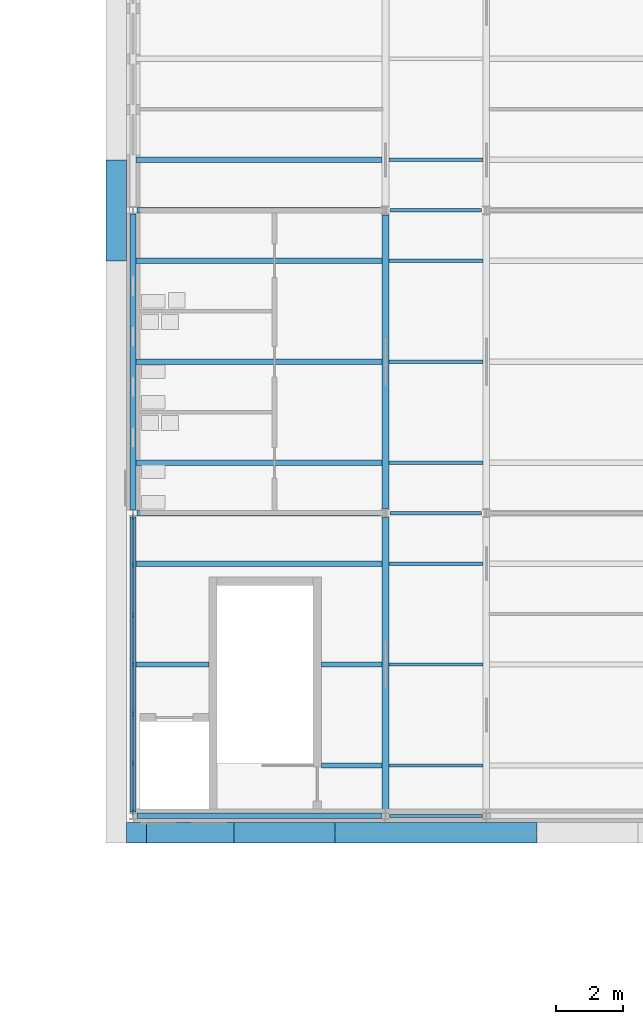
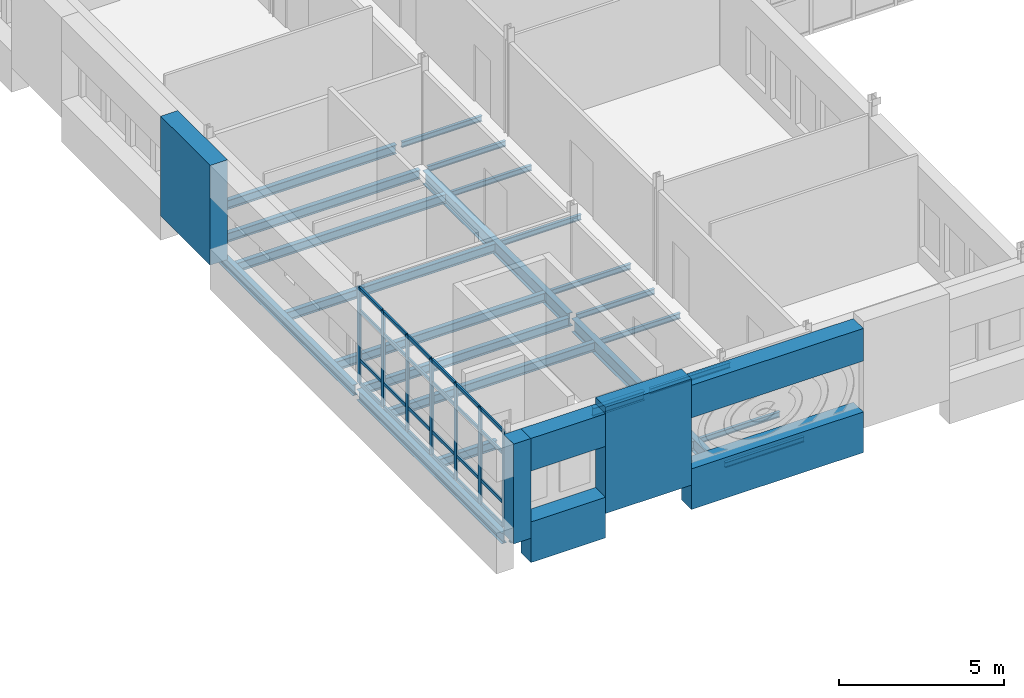
# One storey, part 20 of 154: 34 members, 29 beams, 1 element without a shape of its own.
"""IFC4 building model written with IfcOpenShell, lengths in metres."""

from ifc_helpers import new_model, si_unit, direction, frame, origin, origin_2d, place, context, subcontext, project, spatial, rectangle, i_section, extrude, material, layer, layer_set, material_profile, profile_set, type_object, element, aggregate, save


model = new_model("IFC4")

# Units and contexts
model_context = context("Model", 3, precision=1e-05, world=origin(), true_north=direction((0.0, 1.0)))
body_context = subcontext(model_context, "Body", "Model", "MODEL_VIEW")
ifc_project = project(units=[si_unit("LENGTHUNIT", "METRE"), si_unit("AREAUNIT", "SQUARE_METRE"), si_unit("VOLUMEUNIT", "CUBIC_METRE"), si_unit("PLANEANGLEUNIT", "RADIAN"), si_unit("MASSUNIT", "GRAM", prefix="KILO")], contexts=[model_context])

# Site, building, storey
site_placement = place(None, origin())
site = spatial("IfcSite", under=ifc_project, at=site_placement, CompositionType="ELEMENT")
building_placement = place(site_placement, origin())
building = spatial("IfcBuilding", under=site, at=building_placement, Name="Golden Quay Civic Hall", CompositionType="ELEMENT")
storey_placement = place(building_placement, frame((0.0, 0.0, 14.39990234375)))
storey = spatial("IfcBuildingStorey", under=building, at=storey_placement, Name="L03", CompositionType="ELEMENT", Elevation=14.39990234375)

# Curtain wall, members
ifc_material_1 = material(Name="Glass, laminated double glazed", Category="glass")
ifc_layer = layer(ifc_material_1, 0.199951171875)
ifc_layer_set = layer_set([ifc_layer], Name="Glazed core strip curtain wall")
curtain_wall_type = type_object("IfcCurtainWallType", Name="Glazed core strip curtain wall", PredefinedType="NOTDEFINED", material=ifc_layer_set)
curtain_wall_placement = place(storey_placement, origin())
curtain_wall = element("IfcCurtainWall", 1, at=curtain_wall_placement, inside=storey, type_object=curtain_wall_type, Name="Glazed core strip curtain wall L03 3", PredefinedType="NOTDEFINED")
ifc_material_2 = material(Name="Aluminium, anodised", Category="aluminium")
ifc_material_profile_1 = material_profile(ifc_material_2, rectangle(XDim=0.06005859375, YDim=0.159912109375, at=origin_2d()), Name="Aluminium 60 x 160")
ifc_profile_set_1 = profile_set([ifc_material_profile_1], Name="Aluminium, anodised")
member_type_1 = type_object("IfcMemberType", Name="Aluminium mullion 60 x 160", PredefinedType="MULLION", material=ifc_profile_set_1)
member_1_placement = place(storey_placement, frame((54.0, 0.125, 0.0), z_axis=(0.0, 0.0, 1.0), x_axis=(-1.0, 0.0, 0.0)))
member_1 = element("IfcMember", 2, at=member_1_placement, type_object=member_type_1, Name="CW2 mullion 1", PredefinedType="MULLION", context=body_context, shape_type="SweptSolid", body=[
    extrude(rectangle(XDim=0.06005859375, YDim=0.159912109375, at=origin_2d()), origin(), (0.0, 0.0, 1.0), 3.550048828125),
])
member_2_placement = place(storey_placement, frame((54.0, 1.563232421875, 0.0), z_axis=(0.0, 0.0, 1.0), x_axis=(-1.0, 0.0, 0.0)))
member_2 = element("IfcMember", 3, at=member_2_placement, type_object=member_type_1, Name="CW2 mullion 2", PredefinedType="MULLION", context=body_context, shape_type="SweptSolid", body=[
    extrude(rectangle(XDim=0.06005859375, YDim=0.159912109375, at=origin_2d()), origin(), (0.0, 0.0, 1.0), 3.550048828125),
])
member_3_placement = place(storey_placement, frame((54.0, 3.03173828125, 0.0), z_axis=(0.0, 0.0, 1.0), x_axis=(-1.0, 0.0, 0.0)))
member_3 = element("IfcMember", 4, at=member_3_placement, type_object=member_type_1, Name="CW2 mullion 3", PredefinedType="MULLION", context=body_context, shape_type="SweptSolid", body=[
    extrude(rectangle(XDim=0.06005859375, YDim=0.159912109375, at=origin_2d()), origin(), (0.0, 0.0, 1.0), 3.550048828125),
])
member_4_placement = place(storey_placement, frame((54.0, 4.5, 0.0), z_axis=(0.0, 0.0, 1.0), x_axis=(-1.0, 0.0, 0.0)))
member_4 = element("IfcMember", 5, at=member_4_placement, type_object=member_type_1, Name="CW2 mullion 4", PredefinedType="MULLION", context=body_context, shape_type="SweptSolid", body=[
    extrude(rectangle(XDim=0.06005859375, YDim=0.159912109375, at=origin_2d()), origin(), (0.0, 0.0, 1.0), 3.550048828125),
])
member_5_placement = place(storey_placement, frame((54.0, 5.96826171875, 0.0), z_axis=(0.0, 0.0, 1.0), x_axis=(-1.0, 0.0, 0.0)))
member_5 = element("IfcMember", 6, at=member_5_placement, type_object=member_type_1, Name="CW2 mullion 5", PredefinedType="MULLION", context=body_context, shape_type="SweptSolid", body=[
    extrude(rectangle(XDim=0.06005859375, YDim=0.159912109375, at=origin_2d()), origin(), (0.0, 0.0, 1.0), 3.550048828125),
])
member_6_placement = place(storey_placement, frame((54.0, 7.436767578125, 0.0), z_axis=(0.0, 0.0, 1.0), x_axis=(-1.0, 0.0, 0.0)))
member_6 = element("IfcMember", 7, at=member_6_placement, type_object=member_type_1, Name="CW2 mullion 6", PredefinedType="MULLION", context=body_context, shape_type="SweptSolid", body=[
    extrude(rectangle(XDim=0.06005859375, YDim=0.159912109375, at=origin_2d()), origin(), (0.0, 0.0, 1.0), 3.550048828125),
])
member_7_placement = place(storey_placement, frame((54.0, 8.875, 0.0), z_axis=(0.0, 0.0, 1.0), x_axis=(-1.0, 0.0, 0.0)))
member_7 = element("IfcMember", 8, at=member_7_placement, type_object=member_type_1, Name="CW2 mullion 7", PredefinedType="MULLION", context=body_context, shape_type="SweptSolid", body=[
    extrude(rectangle(XDim=0.06005859375, YDim=0.159912109375, at=origin_2d()), origin(), (0.0, 0.0, 1.0), 3.550048828125),
])
ifc_material_3 = material(Name="Aluminium, anodised", Category="aluminium")
ifc_material_profile_2 = material_profile(ifc_material_3, rectangle(XDim=0.06005859375, YDim=0.1201171875, at=origin_2d()), Name="Aluminium 60 x 120")
ifc_profile_set_2 = profile_set([ifc_material_profile_2], Name="Aluminium, anodised")
member_type_2 = type_object("IfcMemberType", Name="Aluminium transom 60 x 120", PredefinedType="USERDEFINED", material=ifc_profile_set_2)
member_8_placement = place(storey_placement, frame((54.0, 0.155029296875, 0.030029296875), z_axis=(0.0, 1.0, 0.0), x_axis=(-1.0, 0.0, 0.0)))
member_8 = element("IfcMember", 9, at=member_8_placement, type_object=member_type_2, Name="CW2 transom 1.1", ObjectType="TRANSOM", PredefinedType="USERDEFINED", context=body_context, shape_type="SweptSolid", body=[
    extrude(rectangle(XDim=0.06005859375, YDim=0.1201171875, at=origin_2d()), origin(), (0.0, 0.0, 1.0), 1.37841796875),
])
member_9_placement = place(storey_placement, frame((54.0, 0.155029296875, 0.900146484375), z_axis=(0.0, 1.0, 0.0), x_axis=(-1.0, 0.0, 0.0)))
member_9 = element("IfcMember", 10, at=member_9_placement, type_object=member_type_2, Name="CW2 transom 1.2", ObjectType="TRANSOM", PredefinedType="USERDEFINED", context=body_context, shape_type="SweptSolid", body=[
    extrude(rectangle(XDim=0.06005859375, YDim=0.1201171875, at=origin_2d()), origin(), (0.0, 0.0, 1.0), 1.37841796875),
])
member_10_placement = place(storey_placement, frame((54.0, 0.155029296875, 2.7001953125), z_axis=(0.0, 1.0, 0.0), x_axis=(-1.0, 0.0, 0.0)))
member_10 = element("IfcMember", 11, at=member_10_placement, type_object=member_type_2, Name="CW2 transom 1.3", ObjectType="TRANSOM", PredefinedType="USERDEFINED", context=body_context, shape_type="SweptSolid", body=[
    extrude(rectangle(XDim=0.06005859375, YDim=0.1201171875, at=origin_2d()), origin(), (0.0, 0.0, 1.0), 1.37841796875),
])
member_11_placement = place(storey_placement, frame((54.0, 0.155029296875, 3.52001953125), z_axis=(0.0, 1.0, 0.0), x_axis=(-1.0, 0.0, 0.0)))
member_11 = element("IfcMember", 12, at=member_11_placement, type_object=member_type_2, Name="CW2 transom 1.4", ObjectType="TRANSOM", PredefinedType="USERDEFINED", context=body_context, shape_type="SweptSolid", body=[
    extrude(rectangle(XDim=0.06005859375, YDim=0.1201171875, at=origin_2d()), origin(), (0.0, 0.0, 1.0), 1.37841796875),
])
member_12_placement = place(storey_placement, frame((54.0, 1.59326171875, 0.030029296875), z_axis=(0.0, 1.0, 0.0), x_axis=(-1.0, 0.0, 0.0)))
member_12 = element("IfcMember", 13, at=member_12_placement, type_object=member_type_2, Name="CW2 transom 2.1", ObjectType="TRANSOM", PredefinedType="USERDEFINED", context=body_context, shape_type="SweptSolid", body=[
    extrude(rectangle(XDim=0.06005859375, YDim=0.1201171875, at=origin_2d()), origin(), (0.0, 0.0, 1.0), 1.408447265625),
])
member_13_placement = place(storey_placement, frame((54.0, 1.59326171875, 0.900146484375), z_axis=(0.0, 1.0, 0.0), x_axis=(-1.0, 0.0, 0.0)))
member_13 = element("IfcMember", 14, at=member_13_placement, type_object=member_type_2, Name="CW2 transom 2.2", ObjectType="TRANSOM", PredefinedType="USERDEFINED", context=body_context, shape_type="SweptSolid", body=[
    extrude(rectangle(XDim=0.06005859375, YDim=0.1201171875, at=origin_2d()), origin(), (0.0, 0.0, 1.0), 1.408447265625),
])
member_14_placement = place(storey_placement, frame((54.0, 1.59326171875, 2.7001953125), z_axis=(0.0, 1.0, 0.0), x_axis=(-1.0, 0.0, 0.0)))
member_14 = element("IfcMember", 15, at=member_14_placement, type_object=member_type_2, Name="CW2 transom 2.3", ObjectType="TRANSOM", PredefinedType="USERDEFINED", context=body_context, shape_type="SweptSolid", body=[
    extrude(rectangle(XDim=0.06005859375, YDim=0.1201171875, at=origin_2d()), origin(), (0.0, 0.0, 1.0), 1.408447265625),
])
member_15_placement = place(storey_placement, frame((54.0, 1.59326171875, 3.52001953125), z_axis=(0.0, 1.0, 0.0), x_axis=(-1.0, 0.0, 0.0)))
member_15 = element("IfcMember", 16, at=member_15_placement, type_object=member_type_2, Name="CW2 transom 2.4", ObjectType="TRANSOM", PredefinedType="USERDEFINED", context=body_context, shape_type="SweptSolid", body=[
    extrude(rectangle(XDim=0.06005859375, YDim=0.1201171875, at=origin_2d()), origin(), (0.0, 0.0, 1.0), 1.408447265625),
])
member_16_placement = place(storey_placement, frame((54.0, 3.061767578125, 0.030029296875), z_axis=(0.0, 1.0, 0.0), x_axis=(-1.0, 0.0, 0.0)))
member_16 = element("IfcMember", 17, at=member_16_placement, type_object=member_type_2, Name="CW2 transom 3.1", ObjectType="TRANSOM", PredefinedType="USERDEFINED", context=body_context, shape_type="SweptSolid", body=[
    extrude(rectangle(XDim=0.06005859375, YDim=0.1201171875, at=origin_2d()), origin(), (0.0, 0.0, 1.0), 1.408203125),
])
member_17_placement = place(storey_placement, frame((54.0, 3.061767578125, 0.900146484375), z_axis=(0.0, 1.0, 0.0), x_axis=(-1.0, 0.0, 0.0)))
member_17 = element("IfcMember", 18, at=member_17_placement, type_object=member_type_2, Name="CW2 transom 3.2", ObjectType="TRANSOM", PredefinedType="USERDEFINED", context=body_context, shape_type="SweptSolid", body=[
    extrude(rectangle(XDim=0.06005859375, YDim=0.1201171875, at=origin_2d()), origin(), (0.0, 0.0, 1.0), 1.408203125),
])
member_18_placement = place(storey_placement, frame((54.0, 3.061767578125, 2.7001953125), z_axis=(0.0, 1.0, 0.0), x_axis=(-1.0, 0.0, 0.0)))
member_18 = element("IfcMember", 19, at=member_18_placement, type_object=member_type_2, Name="CW2 transom 3.3", ObjectType="TRANSOM", PredefinedType="USERDEFINED", context=body_context, shape_type="SweptSolid", body=[
    extrude(rectangle(XDim=0.06005859375, YDim=0.1201171875, at=origin_2d()), origin(), (0.0, 0.0, 1.0), 1.408203125),
])
member_19_placement = place(storey_placement, frame((54.0, 3.061767578125, 3.52001953125), z_axis=(0.0, 1.0, 0.0), x_axis=(-1.0, 0.0, 0.0)))
member_19 = element("IfcMember", 20, at=member_19_placement, type_object=member_type_2, Name="CW2 transom 3.4", ObjectType="TRANSOM", PredefinedType="USERDEFINED", context=body_context, shape_type="SweptSolid", body=[
    extrude(rectangle(XDim=0.06005859375, YDim=0.1201171875, at=origin_2d()), origin(), (0.0, 0.0, 1.0), 1.408203125),
])
member_20_placement = place(storey_placement, frame((54.0, 4.530029296875, 0.030029296875), z_axis=(0.0, 1.0, 0.0), x_axis=(-1.0, 0.0, 0.0)))
member_20 = element("IfcMember", 21, at=member_20_placement, type_object=member_type_2, Name="CW2 transom 4.1", ObjectType="TRANSOM", PredefinedType="USERDEFINED", context=body_context, shape_type="SweptSolid", body=[
    extrude(rectangle(XDim=0.06005859375, YDim=0.1201171875, at=origin_2d()), origin(), (0.0, 0.0, 1.0), 1.408203125),
])
member_21_placement = place(storey_placement, frame((54.0, 4.530029296875, 0.900146484375), z_axis=(0.0, 1.0, 0.0), x_axis=(-1.0, 0.0, 0.0)))
member_21 = element("IfcMember", 22, at=member_21_placement, type_object=member_type_2, Name="CW2 transom 4.2", ObjectType="TRANSOM", PredefinedType="USERDEFINED", context=body_context, shape_type="SweptSolid", body=[
    extrude(rectangle(XDim=0.06005859375, YDim=0.1201171875, at=origin_2d()), origin(), (0.0, 0.0, 1.0), 1.408203125),
])
member_22_placement = place(storey_placement, frame((54.0, 4.530029296875, 2.7001953125), z_axis=(0.0, 1.0, 0.0), x_axis=(-1.0, 0.0, 0.0)))
member_22 = element("IfcMember", 23, at=member_22_placement, type_object=member_type_2, Name="CW2 transom 4.3", ObjectType="TRANSOM", PredefinedType="USERDEFINED", context=body_context, shape_type="SweptSolid", body=[
    extrude(rectangle(XDim=0.06005859375, YDim=0.1201171875, at=origin_2d()), origin(), (0.0, 0.0, 1.0), 1.408203125),
])
member_23_placement = place(storey_placement, frame((54.0, 4.530029296875, 3.52001953125), z_axis=(0.0, 1.0, 0.0), x_axis=(-1.0, 0.0, 0.0)))
member_23 = element("IfcMember", 24, at=member_23_placement, type_object=member_type_2, Name="CW2 transom 4.4", ObjectType="TRANSOM", PredefinedType="USERDEFINED", context=body_context, shape_type="SweptSolid", body=[
    extrude(rectangle(XDim=0.06005859375, YDim=0.1201171875, at=origin_2d()), origin(), (0.0, 0.0, 1.0), 1.408203125),
])
member_24_placement = place(storey_placement, frame((54.0, 5.998291015625, 0.030029296875), z_axis=(0.0, 1.0, 0.0), x_axis=(-1.0, 0.0, 0.0)))
member_24 = element("IfcMember", 25, at=member_24_placement, type_object=member_type_2, Name="CW2 transom 5.1", ObjectType="TRANSOM", PredefinedType="USERDEFINED", context=body_context, shape_type="SweptSolid", body=[
    extrude(rectangle(XDim=0.06005859375, YDim=0.1201171875, at=origin_2d()), origin(), (0.0, 0.0, 1.0), 1.408447265625),
])
member_25_placement = place(storey_placement, frame((54.0, 5.998291015625, 0.900146484375), z_axis=(0.0, 1.0, 0.0), x_axis=(-1.0, 0.0, 0.0)))
member_25 = element("IfcMember", 26, at=member_25_placement, type_object=member_type_2, Name="CW2 transom 5.2", ObjectType="TRANSOM", PredefinedType="USERDEFINED", context=body_context, shape_type="SweptSolid", body=[
    extrude(rectangle(XDim=0.06005859375, YDim=0.1201171875, at=origin_2d()), origin(), (0.0, 0.0, 1.0), 1.408447265625),
])
member_26_placement = place(storey_placement, frame((54.0, 5.998291015625, 2.7001953125), z_axis=(0.0, 1.0, 0.0), x_axis=(-1.0, 0.0, 0.0)))
member_26 = element("IfcMember", 27, at=member_26_placement, type_object=member_type_2, Name="CW2 transom 5.3", ObjectType="TRANSOM", PredefinedType="USERDEFINED", context=body_context, shape_type="SweptSolid", body=[
    extrude(rectangle(XDim=0.06005859375, YDim=0.1201171875, at=origin_2d()), origin(), (0.0, 0.0, 1.0), 1.408447265625),
])
member_27_placement = place(storey_placement, frame((54.0, 5.998291015625, 3.52001953125), z_axis=(0.0, 1.0, 0.0), x_axis=(-1.0, 0.0, 0.0)))
member_27 = element("IfcMember", 28, at=member_27_placement, type_object=member_type_2, Name="CW2 transom 5.4", ObjectType="TRANSOM", PredefinedType="USERDEFINED", context=body_context, shape_type="SweptSolid", body=[
    extrude(rectangle(XDim=0.06005859375, YDim=0.1201171875, at=origin_2d()), origin(), (0.0, 0.0, 1.0), 1.408447265625),
])
member_28_placement = place(storey_placement, frame((54.0, 7.466552734375, 0.030029296875), z_axis=(0.0, 1.0, 0.0), x_axis=(-1.0, 0.0, 0.0)))
member_28 = element("IfcMember", 29, at=member_28_placement, type_object=member_type_2, Name="CW2 transom 6.1", ObjectType="TRANSOM", PredefinedType="USERDEFINED", context=body_context, shape_type="SweptSolid", body=[
    extrude(rectangle(XDim=0.06005859375, YDim=0.1201171875, at=origin_2d()), origin(), (0.0, 0.0, 1.0), 1.37841796875),
])
member_29_placement = place(storey_placement, frame((54.0, 7.466552734375, 0.900146484375), z_axis=(0.0, 1.0, 0.0), x_axis=(-1.0, 0.0, 0.0)))
member_29 = element("IfcMember", 30, at=member_29_placement, type_object=member_type_2, Name="CW2 transom 6.2", ObjectType="TRANSOM", PredefinedType="USERDEFINED", context=body_context, shape_type="SweptSolid", body=[
    extrude(rectangle(XDim=0.06005859375, YDim=0.1201171875, at=origin_2d()), origin(), (0.0, 0.0, 1.0), 1.37841796875),
])
member_30_placement = place(storey_placement, frame((54.0, 7.466552734375, 2.7001953125), z_axis=(0.0, 1.0, 0.0), x_axis=(-1.0, 0.0, 0.0)))
member_30 = element("IfcMember", 31, at=member_30_placement, type_object=member_type_2, Name="CW2 transom 6.3", ObjectType="TRANSOM", PredefinedType="USERDEFINED", context=body_context, shape_type="SweptSolid", body=[
    extrude(rectangle(XDim=0.06005859375, YDim=0.1201171875, at=origin_2d()), origin(), (0.0, 0.0, 1.0), 1.37841796875),
])
member_31_placement = place(storey_placement, frame((54.0, 7.466552734375, 3.52001953125), z_axis=(0.0, 1.0, 0.0), x_axis=(-1.0, 0.0, 0.0)))
member_31 = element("IfcMember", 32, at=member_31_placement, type_object=member_type_2, Name="CW2 transom 6.4", ObjectType="TRANSOM", PredefinedType="USERDEFINED", context=body_context, shape_type="SweptSolid", body=[
    extrude(rectangle(XDim=0.06005859375, YDim=0.1201171875, at=origin_2d()), origin(), (0.0, 0.0, 1.0), 1.37841796875),
])
aggregate(curtain_wall, [member_1, member_2, member_3, member_4, member_5, member_6, member_7, member_8, member_9, member_10, member_11, member_12, member_13, member_14, member_15, member_16, member_17, member_18, member_19, member_20, member_21, member_22, member_23, member_24, member_25, member_26, member_27, member_28, member_29, member_30, member_31])

# Members
ifc_material_4 = material(Name="Concrete C40/50", Category="concrete")
ifc_material_profile_3 = material_profile(ifc_material_4, rectangle(XDim=3.0, YDim=0.60009765625, at=origin_2d()), Name="RC 3000x600")
ifc_profile_set_3 = profile_set([ifc_material_profile_3], Name="Concrete C40/50")
member_type_3 = type_object("IfcMemberType", Name="Precast concrete facade pier 3000 x 600", PredefinedType="POST", material=ifc_profile_set_3)
member_32_placement = place(storey_placement, frame((53.5, 18.0, 0.0), z_axis=(0.0, 0.0, 1.0), x_axis=(0.0, 1.0, 0.0)))
element("IfcMember", 33, at=member_32_placement, inside=storey, type_object=member_type_3, Name="Precast concrete facade pier 3000 x 600 L03 19", PredefinedType="POST", context=body_context, shape_type="SweptSolid", body=[
    extrude(rectangle(XDim=3.0, YDim=0.60009765625, at=origin_2d()), origin(), (0.0, 0.0, 1.0), 3.68017578125),
])
member_33_placement = place(storey_placement, frame((58.5, -0.5, 0.0), z_axis=(0.0, 0.0, 1.0), x_axis=(1.0, 0.0, 0.0)))
element("IfcMember", 34, at=member_33_placement, inside=storey, type_object=member_type_3, Name="Precast concrete facade pier 3000 x 600 L03 25", PredefinedType="POST", context=body_context, shape_type="SweptSolid", body=[
    extrude(rectangle(XDim=3.0, YDim=0.60009765625, at=origin_2d()), origin(), (0.0, 0.0, 1.0), 3.920166015625),
])
ifc_material_5 = material(Name="Concrete C40/50", Category="concrete")
ifc_material_profile_4 = material_profile(ifc_material_5, rectangle(XDim=0.60009765625, YDim=0.60009765625, at=origin_2d()), Name="RC 600x600")
ifc_profile_set_4 = profile_set([ifc_material_profile_4], Name="Concrete C40/50")
member_type_4 = type_object("IfcMemberType", Name="Precast concrete facade post 600 x 600", PredefinedType="POST", material=ifc_profile_set_4)
member_34_placement = place(storey_placement, frame((54.10009765625, -0.5, 0.0), z_axis=(0.0, 0.0, 1.0), x_axis=(1.0, 0.0, 0.0)))
element("IfcMember", 35, at=member_34_placement, inside=storey, type_object=member_type_4, Name="Precast concrete facade post 600 x 600 L03 9", PredefinedType="POST", context=body_context, shape_type="SweptSolid", body=[
    extrude(rectangle(XDim=0.60009765625, YDim=0.60009765625, at=origin_2d()), origin(), (0.0, 0.0, 1.0), 3.68017578125),
])

# Beams
ifc_material_6 = material(Name="Concrete C40/50", Category="concrete")
ifc_material_profile_5 = material_profile(ifc_material_6, rectangle(XDim=0.60009765625, YDim=1.199951171875, at=origin_2d()), Name="RC 600x1200")
ifc_profile_set_5 = profile_set([ifc_material_profile_5], Name="Concrete C40/50")
beam_type_1 = type_object("IfcBeamType", Name="Precast concrete spandrel beam 600 x 1200", PredefinedType="SPANDREL", material=ifc_profile_set_5)
beam_1_placement = place(storey_placement, frame((54.39990234375, -0.5, 3.080078125), z_axis=(1.0, 0.0, 0.0), x_axis=(0.0, 1.0, 0.0)))
element("IfcBeam", 36, at=beam_1_placement, inside=storey, type_object=beam_type_1, Name="Precast concrete spandrel beam 600 x 1200 L03 8", PredefinedType="SPANDREL", context=body_context, shape_type="SweptSolid", body=[
    extrude(rectangle(XDim=0.60009765625, YDim=1.199951171875, at=origin_2d()), origin(), (0.0, 0.0, 1.0), 2.60009765625),
])
beam_2_placement = place(storey_placement, frame((60.0, -0.5, 3.080078125), z_axis=(1.0, 0.0, 0.0), x_axis=(0.0, 1.0, 0.0)))
element("IfcBeam", 37, at=beam_2_placement, inside=storey, type_object=beam_type_1, Name="Precast concrete spandrel beam 600 x 1200 L03 9", PredefinedType="SPANDREL", context=body_context, shape_type="SweptSolid", body=[
    extrude(rectangle(XDim=0.60009765625, YDim=1.199951171875, at=origin_2d()), origin(), (0.0, 0.0, 1.0), 6.0),
])
ifc_material_7 = material(Name="Concrete C40/50", Category="concrete")
ifc_material_profile_6 = material_profile(ifc_material_7, rectangle(XDim=0.60009765625, YDim=1.5, at=origin_2d()), Name="RC 600x1500")
ifc_profile_set_6 = profile_set([ifc_material_profile_6], Name="Concrete C40/50")
beam_type_2 = type_object("IfcBeamType", Name="Precast concrete spandrel beam 600 x 1500", PredefinedType="SPANDREL", material=ifc_profile_set_6)
beam_3_placement = place(storey_placement, frame((54.39990234375, -0.5, -0.14990234375), z_axis=(1.0, 0.0, 0.0), x_axis=(0.0, 1.0, 0.0)))
element("IfcBeam", 38, at=beam_3_placement, inside=storey, type_object=beam_type_2, Name="Precast concrete spandrel beam 600 x 1500 L03 27", PredefinedType="SPANDREL", context=body_context, shape_type="SweptSolid", body=[
    extrude(rectangle(XDim=0.60009765625, YDim=1.5, at=origin_2d()), origin(), (0.0, 0.0, 1.0), 2.60009765625),
])
beam_4_placement = place(storey_placement, frame((60.0, -0.5, -0.14990234375), z_axis=(1.0, 0.0, 0.0), x_axis=(0.0, 1.0, 0.0)))
element("IfcBeam", 39, at=beam_4_placement, inside=storey, type_object=beam_type_2, Name="Precast concrete spandrel beam 600 x 1500 L03 28", PredefinedType="SPANDREL", context=body_context, shape_type="SweptSolid", body=[
    extrude(rectangle(XDim=0.60009765625, YDim=1.5, at=origin_2d()), origin(), (0.0, 0.0, 1.0), 6.0),
])
ifc_material_8 = material(Name="Steel S355", Category="steel")
ifc_material_profile_7 = material_profile(ifc_material_8, i_section(OverallWidth=0.10009765625, OverallDepth=0.199951171875, WebThickness=0.005615234375, FlangeThickness=0.008544921875, FilletRadius=0.011962890625, at=origin_2d()), Name="IPE 200")
ifc_profile_set_7 = profile_set([ifc_material_profile_7], Name="Steel S355")
beam_type_3 = type_object("IfcBeamType", Name="Steel beam IPE 200", PredefinedType="BEAM", material=ifc_profile_set_7)
beam_5_placement = place(storey_placement, frame((61.6201171875, 0.0, -0.2998046875), z_axis=(1.0, 0.0, 0.0), x_axis=(0.0, 1.0, 0.0)))
element("IfcBeam", 40, at=beam_5_placement, inside=storey, type_object=beam_type_3, Name="Beam S0-61.5", PredefinedType="BEAM", context=body_context, shape_type="SweptSolid", body=[
    extrude(i_section(OverallWidth=0.10009765625, OverallDepth=0.199951171875, WebThickness=0.005615234375, FlangeThickness=0.008544921875, FilletRadius=0.011962890625, at=origin_2d()), origin(), (0.0, 0.0, 1.0), 2.759765625),
])
for number, where, z_axis, x_axis, name in (
    (41, (61.639892578125, 9.0, -0.2998046875), (1.0, 0.0, 0.0), (0.0, 1.0, 0.0), "Beam S9-61.5"),
    (42, (61.639892578125, 18.0, -0.2998046875), (1.0, 0.0, 0.0), (0.0, 1.0, 0.0), "Beam S18-61.5"),
):
    element("IfcBeam", number, at=place(storey_placement, frame(where, z_axis=z_axis, x_axis=x_axis)), inside=storey, type_object=beam_type_3, Name=name, PredefinedType="BEAM", context=body_context, shape_type="SweptSolid", body=[
        extrude(i_section(OverallWidth=0.10009765625, OverallDepth=0.199951171875, WebThickness=0.005615234375, FlangeThickness=0.008544921875, FilletRadius=0.011962890625, at=origin_2d()), origin(), (0.0, 0.0, 1.0), 2.72021484375),
    ])
ifc_material_9 = material(Name="Steel S355", Category="steel")
ifc_material_profile_8 = material_profile(ifc_material_9, i_section(OverallWidth=0.159912109375, OverallDepth=0.330078125, WebThickness=0.007568359375, FlangeThickness=0.011474609375, FilletRadius=0.01806640625, at=origin_2d()), Name="IPE 330")
ifc_profile_set_8 = profile_set([ifc_material_profile_8], Name="Steel S355")
beam_type_4 = type_object("IfcBeamType", Name="Steel beam IPE 330", PredefinedType="BEAM", material=ifc_profile_set_8)
beam_6_placement = place(storey_placement, frame((54.1201171875, 0.0, -0.364990234375), z_axis=(1.0, 0.0, 0.0), x_axis=(0.0, 1.0, 0.0)))
element("IfcBeam", 43, at=beam_6_placement, inside=storey, type_object=beam_type_4, Name="Beam S0-54", PredefinedType="BEAM", context=body_context, shape_type="SweptSolid", body=[
    extrude(i_section(OverallWidth=0.159912109375, OverallDepth=0.330078125, WebThickness=0.007568359375, FlangeThickness=0.011474609375, FilletRadius=0.01806640625, at=origin_2d()), origin(), (0.0, 0.0, 1.0), 7.259765625),
])
for number, where, z_axis, x_axis, name in (
    (44, (54.1201171875, 9.0, -0.364990234375), (1.0, 0.0, 0.0), (0.0, 1.0, 0.0), "Beam S9-54"),
    (45, (54.1201171875, 18.0, -0.364990234375), (1.0, 0.0, 0.0), (0.0, 1.0, 0.0), "Beam S18-54"),
):
    element("IfcBeam", number, at=place(storey_placement, frame(where, z_axis=z_axis, x_axis=x_axis)), inside=storey, type_object=beam_type_4, Name=name, PredefinedType="BEAM", context=body_context, shape_type="SweptSolid", body=[
        extrude(i_section(OverallWidth=0.159912109375, OverallDepth=0.330078125, WebThickness=0.007568359375, FlangeThickness=0.011474609375, FilletRadius=0.01806640625, at=origin_2d()), origin(), (0.0, 0.0, 1.0), 7.239990234375),
    ])
ifc_material_10 = material(Name="Steel S355", Category="steel")
ifc_material_profile_9 = material_profile(ifc_material_10, i_section(OverallWidth=0.179931640625, OverallDepth=0.39990234375, WebThickness=0.008544921875, FlangeThickness=0.013427734375, FilletRadius=0.02099609375, at=origin_2d()), Name="IPE 400")
ifc_profile_set_9 = profile_set([ifc_material_profile_9], Name="Steel S355")
beam_type_5 = type_object("IfcBeamType", Name="Steel beam IPE 400", PredefinedType="BEAM", material=ifc_profile_set_9)
for number, where, z_axis, x_axis, name in (
    (46, (54.0, 0.114990234375, -0.39990234375), (0.0, 1.0, 0.0), (-1.0, 0.0, 0.0), "Beam L54-0"),
    (47, (54.0, 9.114990234375, -0.39990234375), (0.0, 1.0, 0.0), (-1.0, 0.0, 0.0), "Beam L54-9"),
):
    element("IfcBeam", number, at=place(storey_placement, frame(where, z_axis=z_axis, x_axis=x_axis)), inside=storey, type_object=beam_type_5, Name=name, PredefinedType="BEAM", context=body_context, shape_type="SweptSolid", body=[
        extrude(i_section(OverallWidth=0.179931640625, OverallDepth=0.39990234375, WebThickness=0.008544921875, FlangeThickness=0.013427734375, FilletRadius=0.02099609375, at=origin_2d()), origin(), (0.0, 0.0, 1.0), 8.77001953125),
    ])
ifc_material_11 = material(Name="Steel S355", Category="steel")
ifc_material_profile_10 = material_profile(ifc_material_11, i_section(OverallWidth=0.199951171875, OverallDepth=0.5, WebThickness=0.01025390625, FlangeThickness=0.01611328125, FilletRadius=0.02099609375, at=origin_2d()), Name="IPE 500")
ifc_profile_set_10 = profile_set([ifc_material_profile_10], Name="Steel S355")
beam_type_6 = type_object("IfcBeamType", Name="Steel beam IPE 500", PredefinedType="BEAM", material=ifc_profile_set_10)
beam_7_placement = place(storey_placement, frame((61.5, 0.114990234375, -0.449951171875), z_axis=(0.0, 1.0, 0.0), x_axis=(-1.0, 0.0, 0.0)))
element("IfcBeam", 48, at=beam_7_placement, inside=storey, type_object=beam_type_6, Name="Beam L61.5-0", PredefinedType="BEAM", context=body_context, shape_type="SweptSolid", body=[
    extrude(i_section(OverallWidth=0.199951171875, OverallDepth=0.5, WebThickness=0.01025390625, FlangeThickness=0.01611328125, FilletRadius=0.02099609375, at=origin_2d()), origin(), (0.0, 0.0, 1.0), 8.75),
])
beam_8_placement = place(storey_placement, frame((61.5, 9.135009765625, -0.449951171875), z_axis=(0.0, 1.0, 0.0), x_axis=(-1.0, 0.0, 0.0)))
element("IfcBeam", 49, at=beam_8_placement, inside=storey, type_object=beam_type_6, Name="Beam L61.5-9", PredefinedType="BEAM", context=body_context, shape_type="SweptSolid", body=[
    extrude(i_section(OverallWidth=0.199951171875, OverallDepth=0.5, WebThickness=0.01025390625, FlangeThickness=0.01611328125, FilletRadius=0.02099609375, at=origin_2d()), origin(), (0.0, 0.0, 1.0), 8.72998046875),
])
ifc_material_12 = material(Name="Steel S355", Category="steel")
ifc_material_profile_11 = material_profile(ifc_material_12, i_section(OverallWidth=0.10009765625, OverallDepth=0.199951171875, WebThickness=0.005615234375, FlangeThickness=0.008544921875, FilletRadius=0.011962890625, at=origin_2d()), Name="IPE 200")
ifc_profile_set_11 = profile_set([ifc_material_profile_11], Name="Steel S355")
beam_type_7 = type_object("IfcBeamType", Name="Steel joist IPE 200", PredefinedType="JOIST", material=ifc_profile_set_11)
for number, where, z_axis, x_axis, name in (
    (50, (61.60009765625, 1.5, -0.2998046875), (1.0, 0.0, 0.0), (0.0, 1.0, 0.0), "Joist J1.5-61.5"),
    (51, (61.60009765625, 4.5, -0.2998046875), (1.0, 0.0, 0.0), (0.0, 1.0, 0.0), "Joist J4.5-61.5"),
    (52, (61.60009765625, 7.5, -0.2998046875), (1.0, 0.0, 0.0), (0.0, 1.0, 0.0), "Joist J7.5-61.5"),
    (53, (61.60009765625, 10.5, -0.2998046875), (1.0, 0.0, 0.0), (0.0, 1.0, 0.0), "Joist J10.5-61.5"),
    (54, (61.60009765625, 13.5, -0.2998046875), (1.0, 0.0, 0.0), (0.0, 1.0, 0.0), "Joist J13.5-61.5"),
    (55, (61.60009765625, 16.5, -0.2998046875), (1.0, 0.0, 0.0), (0.0, 1.0, 0.0), "Joist J16.5-61.5"),
    (56, (61.60009765625, 19.5, -0.2998046875), (1.0, 0.0, 0.0), (0.0, 1.0, 0.0), "Joist J19.5-61.5"),
):
    element("IfcBeam", number, at=place(storey_placement, frame(where, z_axis=z_axis, x_axis=x_axis)), inside=storey, type_object=beam_type_7, Name=name, PredefinedType="JOIST", context=body_context, shape_type="SweptSolid", body=[
        extrude(i_section(OverallWidth=0.10009765625, OverallDepth=0.199951171875, WebThickness=0.005615234375, FlangeThickness=0.008544921875, FilletRadius=0.011962890625, at=origin_2d()), origin(), (0.0, 0.0, 1.0), 2.7998046875),
    ])
ifc_material_13 = material(Name="Steel S355", Category="steel")
ifc_material_profile_12 = material_profile(ifc_material_13, i_section(OverallWidth=0.159912109375, OverallDepth=0.330078125, WebThickness=0.007568359375, FlangeThickness=0.011474609375, FilletRadius=0.01806640625, at=origin_2d()), Name="IPE 330")
ifc_profile_set_12 = profile_set([ifc_material_profile_12], Name="Steel S355")
beam_type_8 = type_object("IfcBeamType", Name="Steel joist IPE 330", PredefinedType="JOIST", material=ifc_profile_set_12)
beam_9_placement = place(storey_placement, frame((59.60009765625, 1.5, -0.364990234375), z_axis=(1.0, 0.0, 0.0), x_axis=(0.0, 1.0, 0.0)))
element("IfcBeam", 57, at=beam_9_placement, inside=storey, type_object=beam_type_8, Name="Joist J1.5-54-1", PredefinedType="JOIST", context=body_context, shape_type="SweptSolid", body=[
    extrude(i_section(OverallWidth=0.159912109375, OverallDepth=0.330078125, WebThickness=0.007568359375, FlangeThickness=0.011474609375, FilletRadius=0.01806640625, at=origin_2d()), origin(), (0.0, 0.0, 1.0), 1.7998046875),
])
beam_10_placement = place(storey_placement, frame((54.090087890625, 4.5, -0.364990234375), z_axis=(1.0, 0.0, 0.0), x_axis=(0.0, 1.0, 0.0)))
element("IfcBeam", 58, at=beam_10_placement, inside=storey, type_object=beam_type_8, Name="Joist J4.5-54-0", PredefinedType="JOIST", context=body_context, shape_type="SweptSolid", body=[
    extrude(i_section(OverallWidth=0.159912109375, OverallDepth=0.330078125, WebThickness=0.007568359375, FlangeThickness=0.011474609375, FilletRadius=0.01806640625, at=origin_2d()), origin(), (0.0, 0.0, 1.0), 2.159912109375),
])
beam_11_placement = place(storey_placement, frame((59.60009765625, 4.5, -0.364990234375), z_axis=(1.0, 0.0, 0.0), x_axis=(0.0, 1.0, 0.0)))
element("IfcBeam", 59, at=beam_11_placement, inside=storey, type_object=beam_type_8, Name="Joist J4.5-54-1", PredefinedType="JOIST", context=body_context, shape_type="SweptSolid", body=[
    extrude(i_section(OverallWidth=0.159912109375, OverallDepth=0.330078125, WebThickness=0.007568359375, FlangeThickness=0.011474609375, FilletRadius=0.01806640625, at=origin_2d()), origin(), (0.0, 0.0, 1.0), 1.7998046875),
])
for number, where, z_axis, x_axis, name in (
    (60, (54.090087890625, 7.5, -0.364990234375), (1.0, 0.0, 0.0), (0.0, 1.0, 0.0), "Joist J7.5-54"),
    (61, (54.090087890625, 10.5, -0.364990234375), (1.0, 0.0, 0.0), (0.0, 1.0, 0.0), "Joist J10.5-54"),
    (62, (54.090087890625, 13.5, -0.364990234375), (1.0, 0.0, 0.0), (0.0, 1.0, 0.0), "Joist J13.5-54"),
    (63, (54.090087890625, 16.5, -0.364990234375), (1.0, 0.0, 0.0), (0.0, 1.0, 0.0), "Joist J16.5-54"),
    (64, (54.090087890625, 19.5, -0.364990234375), (1.0, 0.0, 0.0), (0.0, 1.0, 0.0), "Joist J19.5-54"),
):
    element("IfcBeam", number, at=place(storey_placement, frame(where, z_axis=z_axis, x_axis=x_axis)), inside=storey, type_object=beam_type_8, Name=name, PredefinedType="JOIST", context=body_context, shape_type="SweptSolid", body=[
        extrude(i_section(OverallWidth=0.159912109375, OverallDepth=0.330078125, WebThickness=0.007568359375, FlangeThickness=0.011474609375, FilletRadius=0.01806640625, at=origin_2d()), origin(), (0.0, 0.0, 1.0), 7.309814453125),
    ])

save(model, "model.ifc")
